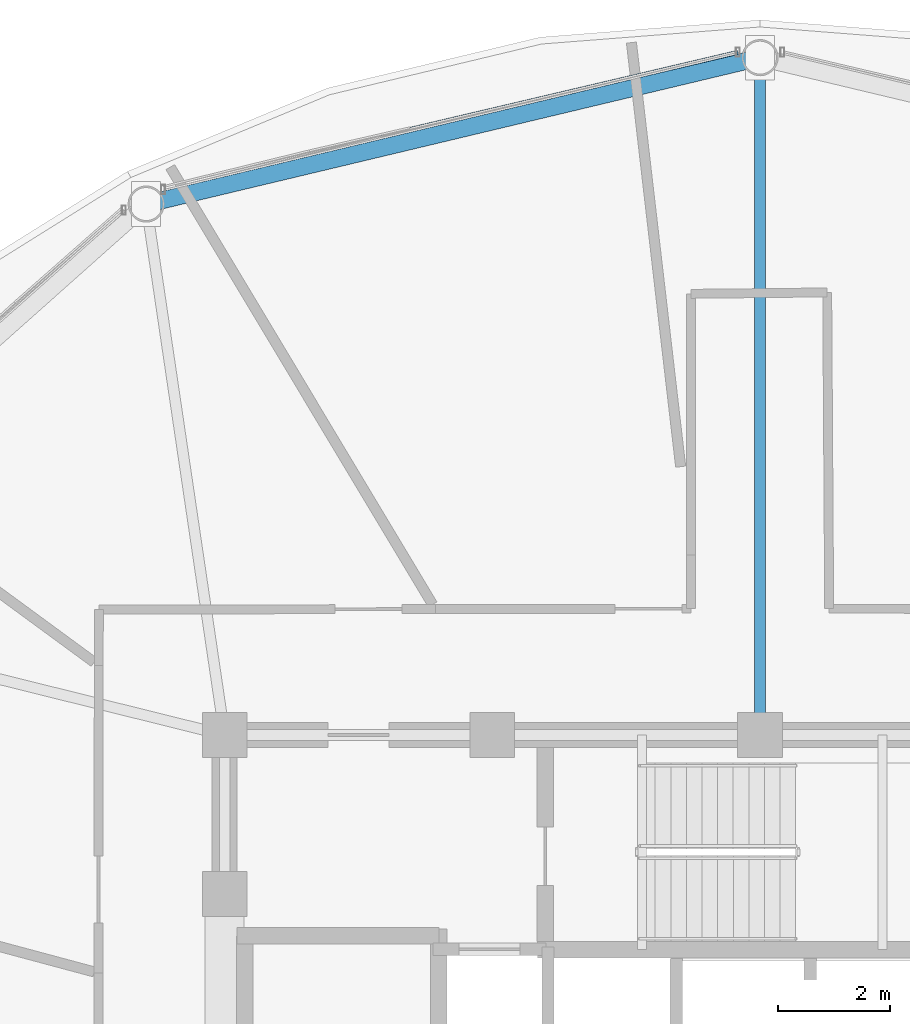
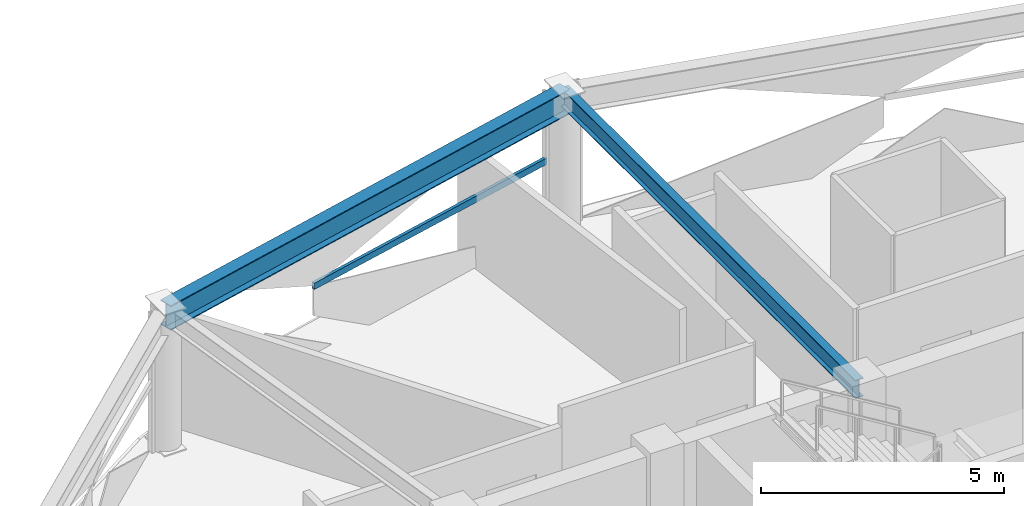
# One storey, part 17 of 28: 2 beams, 1 member, 1 element without a shape of its own.
"""IFC4 building model written with IfcOpenShell, lengths in metres."""

from ifc_helpers import new_model, si_unit, direction, frame, origin, origin_2d, place, context, subcontext, project, spatial, hollow_rectangle, i_section, extrude, material, layer, layer_set, material_profile, profile_set, type_object, element, aggregate, save


model = new_model("IFC4")

# Units and contexts
model_context = context("Model", 3, precision=1e-05, world=origin(), true_north=direction((0.0, 1.0)))
body_context = subcontext(model_context, "Body", "Model", "MODEL_VIEW")
ifc_project = project(units=[si_unit("LENGTHUNIT", "METRE"), si_unit("AREAUNIT", "SQUARE_METRE"), si_unit("VOLUMEUNIT", "CUBIC_METRE"), si_unit("PLANEANGLEUNIT", "RADIAN"), si_unit("MASSUNIT", "GRAM", prefix="KILO")], contexts=[model_context])

# Site, building, storey
site_placement = place(None, origin())
site = spatial("IfcSite", under=ifc_project, at=site_placement, CompositionType="ELEMENT")
building_placement = place(site_placement, origin())
building = spatial("IfcBuilding", under=site, at=building_placement, Name="Vantalir Tower", CompositionType="ELEMENT")
storey_placement = place(building_placement, frame((0.0, 0.0, 223.64990234375)))
storey = spatial("IfcBuildingStorey", under=building, at=storey_placement, Name="L56", CompositionType="ELEMENT", Elevation=223.64990234375)

# Beams
ifc_material_1 = material(Name="Steel S355", Category="steel")
ifc_material_profile_1 = material_profile(ifc_material_1, i_section(OverallWidth=0.19189453125, OverallDepth=0.462890625, WebThickness=0.010498046875, FlangeThickness=0.017578125, at=origin_2d()), Name="Steel S355")
ifc_profile_set_1 = profile_set([ifc_material_profile_1], Name="Steel S355")
beam_type_1 = type_object("IfcBeamType", Name="BM-RB-457x191", PredefinedType="BEAM", material=ifc_profile_set_1)
beam_1_placement = place(storey_placement, frame((31.5, 44.595947265625, 3.338134765625), z_axis=(0.0, -1.0, 0.0), x_axis=(1.0, 0.0, 0.0)))
element("IfcBeam", 1, at=beam_1_placement, inside=storey, type_object=beam_type_1, Name="L56 Radial Floor Beam 04", PredefinedType="BEAM", context=body_context, shape_type="SweptSolid", body=[
    extrude(i_section(OverallWidth=0.19189453125, OverallDepth=0.462890625, WebThickness=0.010498046875, FlangeThickness=0.017578125, at=origin_2d()), origin(), (0.0, 0.0, 1.0), 12.14599609375),
])
ifc_material_2 = material(Name="Steel S460", Category="steel")
ifc_material_profile_2 = material_profile(ifc_material_2, i_section(OverallWidth=0.306884765625, OverallDepth=0.6201171875, WebThickness=0.01416015625, FlangeThickness=0.023681640625, at=origin_2d()), Name="Steel S460")
ifc_profile_set_2 = profile_set([ifc_material_profile_2], Name="Steel S460")
beam_type_2 = type_object("IfcBeamType", Name="BM-RG-610x305", PredefinedType="USERDEFINED", material=ifc_profile_set_2)
beam_2_placement = place(storey_placement, frame((31.5, 44.595947265625, 3.260009765625), z_axis=(-0.972716546071, -0.231996812479, 0.0), x_axis=(0.231996812479, -0.972716546071, 0.0)))
element("IfcBeam", 2, at=beam_2_placement, inside=storey, type_object=beam_type_2, Name="L56 Circumferential Ring Girder 04", ObjectType="GIRDER", PredefinedType="USERDEFINED", context=body_context, shape_type="SweptSolid", body=[
    extrude(i_section(OverallWidth=0.306884765625, OverallDepth=0.6201171875, WebThickness=0.01416015625, FlangeThickness=0.023681640625, at=origin_2d()), origin(), (0.0, 0.0, 1.0), 11.314697265625),
])

# Curtain wall, member
ifc_material_3 = material(Name="Champagne-silver PVDF aluminium and double-silver Low-E glass", Category="aluminium")
ifc_layer = layer(ifc_material_3, 0.2099609375)
ifc_layer_set = layer_set([ifc_layer], Name="Champagne-silver PVDF aluminium and double-silver Low-E glass")
curtain_wall_type = type_object("IfcCurtainWallType", Name="CW-DIAMOND-Z3", PredefinedType="USERDEFINED", material=ifc_layer_set)
curtain_wall_placement = place(storey_placement, origin())
curtain_wall = element("IfcCurtainWall", 3, at=curtain_wall_placement, inside=storey, type_object=curtain_wall_type, Name="L56 Quilted Pyramid-Diamond Curtain Wall S04", ObjectType="UNITISED CURTAIN WALL", PredefinedType="USERDEFINED")
ifc_material_4 = material(Name="Champagne-silver PVDF aluminium 6063-T6", Category="aluminium")
ifc_material_profile_3 = material_profile(ifc_material_4, hollow_rectangle(XDim=0.074951171875, YDim=0.159912109375, WallThickness=0.00390625, at=origin_2d()), Name="Champagne-silver PVDF aluminium 6063-T6")
ifc_profile_set_3 = profile_set([ifc_material_profile_3], Name="Champagne-silver PVDF aluminium 6063-T6")
member_type = type_object("IfcMemberType", Name="CWT-160x75", PredefinedType="USERDEFINED", material=ifc_profile_set_3)
member_placement = place(storey_placement, frame((31.10107421875, 44.69091796875, 1.78515625), z_axis=(-0.973485351078, -0.228749363357, 0.0), x_axis=(0.228749363357, -0.973485351078, 0.0)))
member = element("IfcMember", 4, at=member_placement, type_object=member_type, Name="CW-L56-S04 Pyramid Fold Ridge Transom", ObjectType="TRANSOM", PredefinedType="USERDEFINED", context=body_context, shape_type="SweptSolid", body=[
    extrude(hollow_rectangle(XDim=0.074951171875, YDim=0.159912109375, WallThickness=0.00390625, at=origin_2d()), origin(), (0.0, 0.0, 1.0), 6.5703125),
])
aggregate(curtain_wall, [member])

save(model, "model.ifc")
